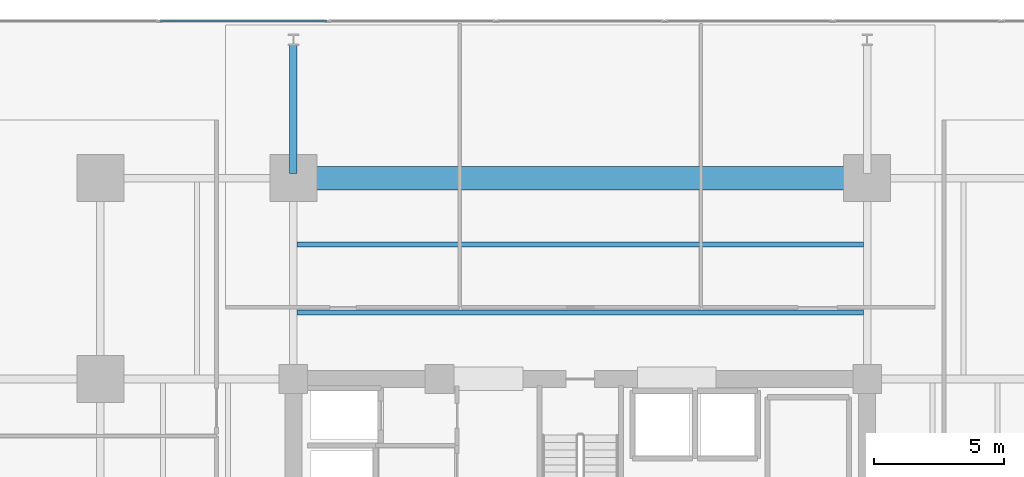
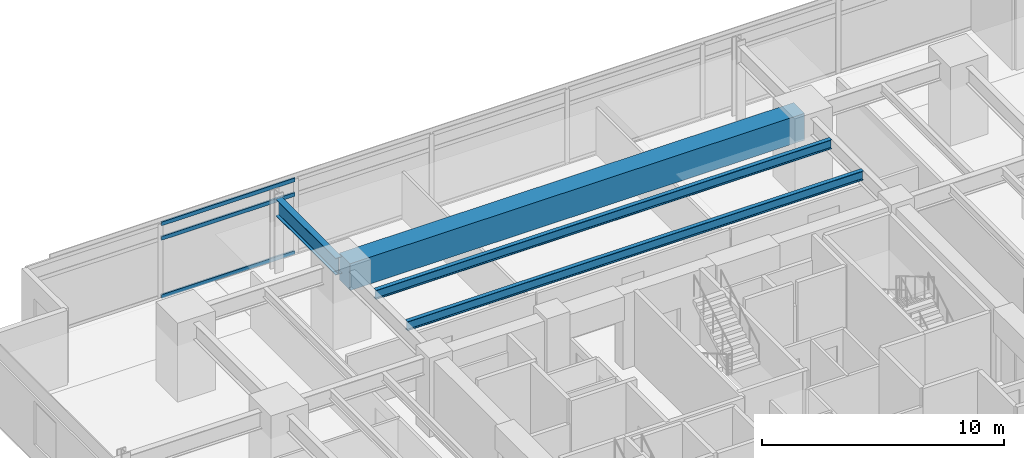
# One storey, part 10 of 22: 4 beams, 3 members, 1 element without a shape of its own.
"""IFC4 building model written with IfcOpenShell, lengths in metres."""

from ifc_helpers import new_model, si_unit, direction, frame, origin, origin_2d, place, context, subcontext, project, spatial, rectangle, hollow_rectangle, i_section, extrude, material, material_profile, profile_set, type_object, element, aggregate, save


model = new_model("IFC4")

# Units and contexts
model_context = context("Model", 3, precision=1e-05, world=origin(), true_north=direction((0.0, 1.0)))
body_context = subcontext(model_context, "Body", "Model", "MODEL_VIEW")
ifc_project = project(units=[si_unit("LENGTHUNIT", "METRE"), si_unit("AREAUNIT", "SQUARE_METRE"), si_unit("VOLUMEUNIT", "CUBIC_METRE"), si_unit("PLANEANGLEUNIT", "RADIAN"), si_unit("MASSUNIT", "GRAM", prefix="KILO")], contexts=[model_context])

# Site, building, storey
site_placement = place(None, origin())
site = spatial("IfcSite", under=ifc_project, at=site_placement, CompositionType="ELEMENT")
building_placement = place(site_placement, origin())
building = spatial("IfcBuilding", under=site, at=building_placement, Name="Kovane Verandah Tower", CompositionType="ELEMENT")
storey_placement = place(building_placement, frame((0.0, 0.0, 99.60009765625)))
storey = spatial("IfcBuildingStorey", under=building, at=storey_placement, Name="L23", CompositionType="ELEMENT", Elevation=99.60009765625)

# Beams
ifc_material_1 = material(Name="Concrete C80/95", Category="concrete")
ifc_material_profile_1 = material_profile(ifc_material_1, rectangle(XDim=0.89990234375, YDim=1.35009765625, at=origin_2d()), Name="RCB900x1350")
ifc_profile_set_1 = profile_set([ifc_material_profile_1], Name="Concrete C80/95")
beam_type_1 = type_object("IfcBeamType", Name="BM-TR-900x1350", PredefinedType="BEAM", material=ifc_profile_set_1)
beam_1_placement = place(storey_placement, frame((29.179931640625, 44.199951171875, 3.0849609375), z_axis=(1.0, 0.0, 0.0), x_axis=(0.0, 1.0, 0.0)))
element("IfcBeam", 1, at=beam_1_placement, inside=storey, type_object=beam_type_1, Name="L23 Primary Tower Girder G-RN2", PredefinedType="BEAM", context=body_context, shape_type="SweptSolid", body=[
    extrude(rectangle(XDim=0.89990234375, YDim=1.35009765625, at=origin_2d()), origin(), (0.0, 0.0, 1.0), 21.64013671875),
])
ifc_material_2 = material(Name="Steel S355", Category="steel")
ifc_material_profile_2 = material_profile(ifc_material_2, i_section(OverallWidth=0.293701171875, OverallDepth=0.850830078125, WebThickness=0.01611328125, FlangeThickness=0.02685546875, FilletRadius=0.017822265625, at=origin_2d()), Name="UB838x292x226")
ifc_profile_set_2 = profile_set([ifc_material_profile_2], Name="Steel S355")
beam_type_2 = type_object("IfcBeamType", Name="BM-UB838x226", PredefinedType="BEAM", material=ifc_profile_set_2)
beam_2_placement = place(storey_placement, frame((29.0, 44.3798828125, 3.33447265625), z_axis=(0.0, 1.0, 0.0), x_axis=(-1.0, 0.0, 0.0)))
element("IfcBeam", 2, at=beam_2_placement, inside=storey, type_object=beam_type_2, Name="L23 Primary Tower Girder G-VN1", PredefinedType="BEAM", context=body_context, shape_type="SweptSolid", body=[
    extrude(i_section(OverallWidth=0.293701171875, OverallDepth=0.850830078125, WebThickness=0.01611328125, FlangeThickness=0.02685546875, FilletRadius=0.017822265625, at=origin_2d()), origin(), (0.0, 0.0, 1.0), 4.940185546875),
])

# Curtain wall, members
ifc_material_3 = material(Name="Champagne Anodised Aluminium Frame with Low-E Clear Laminated Glass", Category="aluminium")
curtain_wall_type = type_object("IfcCurtainWallType", Name="CW-SYS-02-LOW", PredefinedType="NOTDEFINED", material=ifc_material_3)
curtain_wall_placement = place(storey_placement, origin())
curtain_wall = element("IfcCurtainWall", 3, at=curtain_wall_placement, inside=storey, type_object=curtain_wall_type, Name="L23 N Unitised Curtain Wall", PredefinedType="NOTDEFINED")
ifc_material_4 = material(Name="Champagne Anodised Aluminium 6063-T6", Category="aluminium")
ifc_material_profile_3 = material_profile(ifc_material_4, hollow_rectangle(XDim=0.0849609375, YDim=0.18994140625, WallThickness=0.00390625, at=origin_2d()), Name="AL85x190x4")
ifc_profile_set_3 = profile_set([ifc_material_profile_3], Name="Champagne Anodised Aluminium 6063-T6")
member_type = type_object("IfcMemberType", Name="CW-TRN-85x190", PredefinedType="USERDEFINED", material=ifc_profile_set_3)
member_1_placement = place(storey_placement, frame((30.264892578125, 50.218994140625, 0.0498046875), z_axis=(-1.0, 0.0, 0.0), x_axis=(0.0, -1.0, 0.0)))
member_1 = element("IfcMember", 4, at=member_1_placement, type_object=member_type, Name="L23 N Unitised Curtain Wall Transom TB Bay 6", ObjectType="TRANSOM", PredefinedType="USERDEFINED", context=body_context, shape_type="SweptSolid", body=[
    extrude(hollow_rectangle(XDim=0.0849609375, YDim=0.18994140625, WallThickness=0.00390625, at=origin_2d()), origin(), (0.0, 0.0, 1.0), 6.356689453125),
])
member_2_placement = place(storey_placement, frame((30.264892578125, 50.218994140625, 2.97998046875), z_axis=(-1.0, 0.0, 0.0), x_axis=(0.0, -1.0, 0.0)))
member_2 = element("IfcMember", 5, at=member_2_placement, type_object=member_type, Name="L23 N Unitised Curtain Wall Transom TM Bay 6", ObjectType="TRANSOM", PredefinedType="USERDEFINED", context=body_context, shape_type="SweptSolid", body=[
    extrude(hollow_rectangle(XDim=0.0849609375, YDim=0.18994140625, WallThickness=0.00390625, at=origin_2d()), origin(), (0.0, 0.0, 1.0), 6.356689453125),
])
member_3_placement = place(storey_placement, frame((30.264892578125, 50.218994140625, 3.7099609375), z_axis=(-1.0, 0.0, 0.0), x_axis=(0.0, -1.0, 0.0)))
member_3 = element("IfcMember", 6, at=member_3_placement, type_object=member_type, Name="L23 N Unitised Curtain Wall Transom TT Bay 6", ObjectType="TRANSOM", PredefinedType="USERDEFINED", context=body_context, shape_type="SweptSolid", body=[
    extrude(hollow_rectangle(XDim=0.0849609375, YDim=0.18994140625, WallThickness=0.00390625, at=origin_2d()), origin(), (0.0, 0.0, 1.0), 6.356689453125),
])
aggregate(curtain_wall, [member_1, member_2, member_3])

# Beams
ifc_material_profile_4 = material_profile(ifc_material_2, i_section(OverallWidth=0.19287109375, OverallDepth=0.46728515625, WebThickness=0.011474609375, FlangeThickness=0.01953125, FilletRadius=0.01025390625, at=origin_2d()), Name="UB457x191x98")
ifc_profile_set_4 = profile_set([ifc_material_profile_4], Name="Steel S355")
beam_type_3 = type_object("IfcBeamType", Name="JST-UB457x98", PredefinedType="JOIST", material=ifc_profile_set_4)
for number, where, z_axis, x_axis, name in (
    (7, (29.14501953125, 39.050048828125, 3.5263671875), (1.0, 0.0, 0.0), (0.0, 1.0, 0.0), "L23 Secondary Composite Joist J-N1"),
    (8, (29.14501953125, 41.64990234375, 3.5263671875), (1.0, 0.0, 0.0), (0.0, 1.0, 0.0), "L23 Secondary Composite Joist J-N2"),
):
    element("IfcBeam", number, at=place(storey_placement, frame(where, z_axis=z_axis, x_axis=x_axis)), inside=storey, type_object=beam_type_3, Name=name, PredefinedType="JOIST", context=body_context, shape_type="SweptSolid", body=[
        extrude(i_section(OverallWidth=0.19287109375, OverallDepth=0.46728515625, WebThickness=0.011474609375, FlangeThickness=0.01953125, FilletRadius=0.01025390625, at=origin_2d()), origin(), (0.0, 0.0, 1.0), 21.7099609375),
    ])

save(model, "model.ifc")
